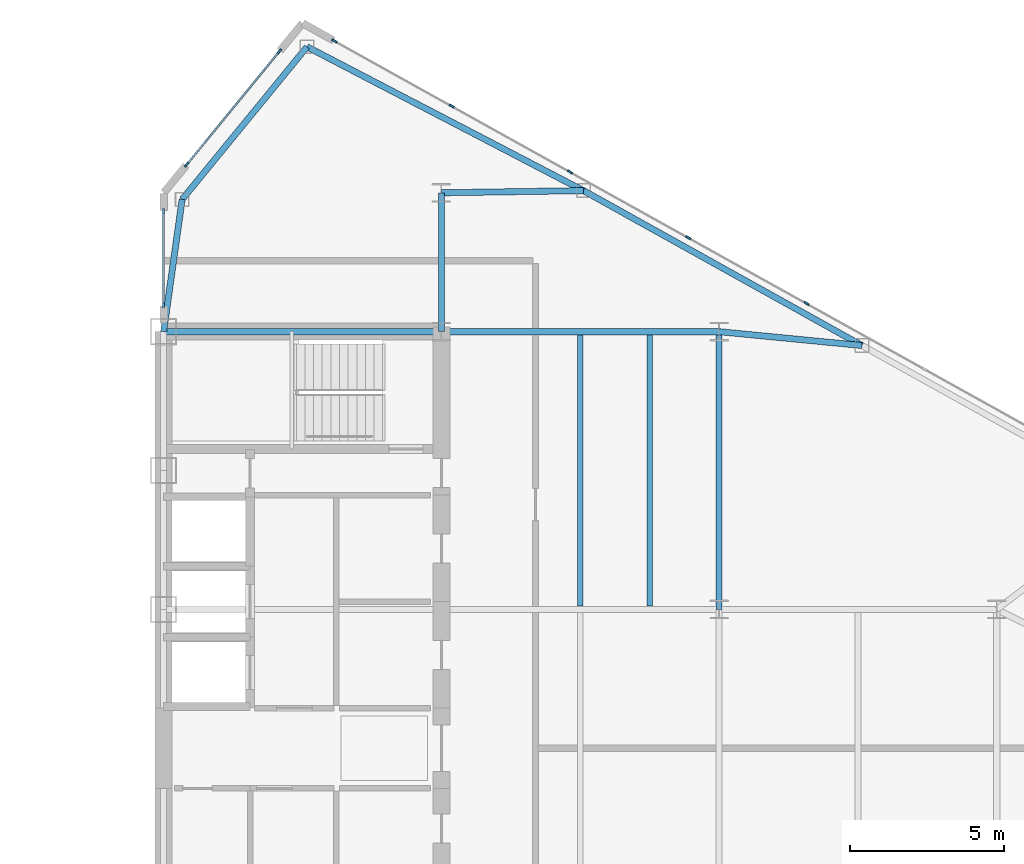
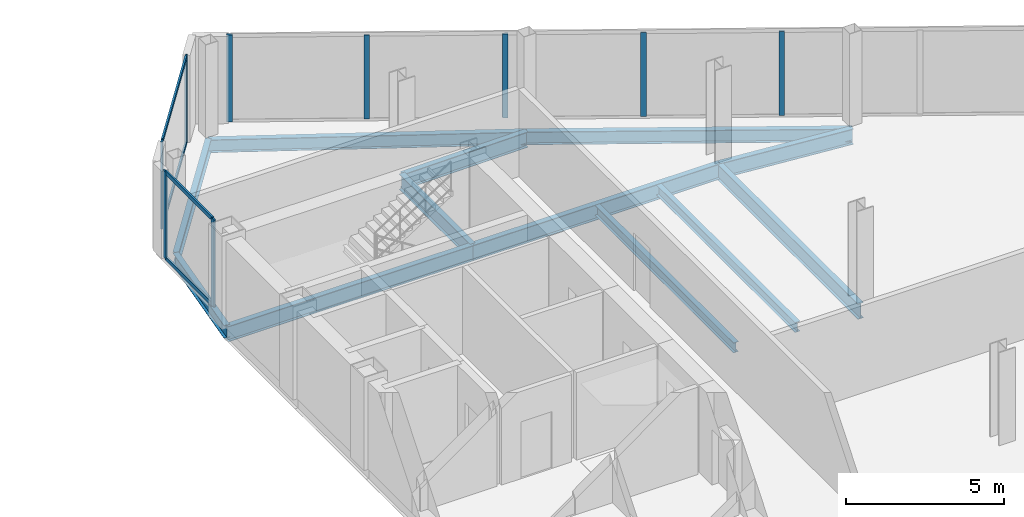
# One storey, part 15 of 26: 13 members, 12 beams, 3 elements without a shape of their own.
"""IFC4 building model written with IfcOpenShell, lengths in metres."""

from ifc_helpers import new_model, si_unit, direction, frame, origin, origin_2d, place, context, subcontext, project, spatial, rectangle, i_section, extrude, source, transform, mapped, material, layer, layer_set, material_profile, profile_set, type_object, type_shapes, element, aggregate, save


model = new_model("IFC4")

# Units and contexts
model_context = context("Model", 3, precision=1e-05, world=origin(), true_north=direction((0.0, 1.0)))
body_context = subcontext(model_context, "Body", "Model", "MODEL_VIEW")
ifc_project = project(units=[si_unit("LENGTHUNIT", "METRE"), si_unit("AREAUNIT", "SQUARE_METRE"), si_unit("VOLUMEUNIT", "CUBIC_METRE"), si_unit("PLANEANGLEUNIT", "RADIAN"), si_unit("MASSUNIT", "GRAM", prefix="KILO")], contexts=[model_context])

# Site, building, storey
site_placement = place(None, origin())
site = spatial("IfcSite", under=ifc_project, at=site_placement, CompositionType="ELEMENT")
building_placement = place(site_placement, origin())
building = spatial("IfcBuilding", under=site, at=building_placement, Name="Seokmaru Belvedere", CompositionType="ELEMENT")
storey_placement = place(building_placement, frame((0.0, 0.0, 181.5)))
storey = spatial("IfcBuildingStorey", under=building, at=storey_placement, Name="L48", CompositionType="ELEMENT", Elevation=181.5)

# Beams
ifc_material_1 = material(Name="Steel SM355 (355 MPa)", Category="steel")
ifc_material_profile_1 = material_profile(ifc_material_1, i_section(OverallWidth=0.199951171875, OverallDepth=0.60009765625, WebThickness=0.010986328125, FlangeThickness=0.01708984375, at=origin_2d()), Name="H-600x200x11x17")
ifc_profile_set_1 = profile_set([ifc_material_profile_1], Name="Steel SM355 (355 MPa)")
beam_type_1 = type_object("IfcBeamType", Name="Primary Floor Girder H-600", PredefinedType="BEAM", material=ifc_profile_set_1)
shared_shape_1 = source(origin(), body_context, "Body", "SweptSolid", [
    extrude(i_section(OverallWidth=0.199951171875, OverallDepth=0.60009765625, WebThickness=0.010986328125, FlangeThickness=0.01708984375, at=origin_2d()), origin(), (0.0, 0.0, 1.0), 9.0),
])
for number, where, z_axis, x_axis, name in (
    (1, (45.5, 4.5, -0.52001953125), (0.0, 1.0, 0.0), (-1.0, 0.0, 0.0), "L48 E Interior Grid Girder 3"),
    (2, (27.5, 13.5, -0.52001953125), (1.0, 0.0, 0.0), (0.0, 1.0, 0.0), "L48 E Core Tie Girder 4"),
    (3, (36.5, 13.5, -0.52001953125), (1.0, 0.0, 0.0), (0.0, 1.0, 0.0), "L48 E Wing Primary Girder 4"),
):
    element("IfcBeam", number, at=place(storey_placement, frame(where, z_axis=z_axis, x_axis=x_axis)), inside=storey, type_object=beam_type_1, Name=name, PredefinedType="BEAM", context=body_context, shape_type="MappedRepresentation", body=[
        mapped(shared_shape_1, transform((0.0, 0.0, 0.0), scale=1.0)),
    ])
ifc_material_profile_2 = material_profile(ifc_material_1, i_section(OverallWidth=0.18505859375, OverallDepth=0.389892578125, WebThickness=0.008056640625, FlangeThickness=0.011962890625, at=origin_2d()), Name="H-390x185x8x12")
ifc_profile_set_2 = profile_set([ifc_material_profile_2], Name="Steel SM355 (355 MPa)")
beam_type_2 = type_object("IfcBeamType", Name="Secondary Floor Joist H-350", PredefinedType="JOIST", material=ifc_profile_set_2)
shared_shape_2 = source(origin(), body_context, "Body", "SweptSolid", [
    extrude(i_section(OverallWidth=0.18505859375, OverallDepth=0.389892578125, WebThickness=0.008056640625, FlangeThickness=0.011962890625, at=origin_2d()), origin(), (0.0, 0.0, 1.0), 8.7900390625),
])
type_shapes(beam_type_2, [shared_shape_2])
for number, where, z_axis, x_axis, name in (
    (4, (43.25, 4.60498046875, -0.4150390625), (0.0, 1.0, 0.0), (-1.0, 0.0, 0.0), "L48 E Wing Inner Secondary Joist 2"),
    (5, (41.0, 4.60498046875, -0.4150390625), (0.0, 1.0, 0.0), (-1.0, 0.0, 0.0), "L48 E Secondary Floor Joist 3"),
):
    element("IfcBeam", number, at=place(storey_placement, frame(where, z_axis=z_axis, x_axis=x_axis)), inside=storey, type_object=beam_type_2, Name=name, PredefinedType="JOIST", context=body_context, shape_type="MappedRepresentation", body=[
        mapped(shared_shape_2, transform((0.0, 0.0, 0.0), scale=1.0)),
    ])
shared_shape_3 = source(origin(), body_context, "Body", "SweptSolid", [
    extrude(i_section(OverallWidth=0.199951171875, OverallDepth=0.60009765625, WebThickness=0.010986328125, FlangeThickness=0.01708984375, at=origin_2d()), origin(), (0.0, 0.0, 1.0), 4.5),
])
beam_1_placement = place(storey_placement, frame((36.5, 13.5, -0.52001953125), z_axis=(0.0, 1.0, 0.0), x_axis=(-1.0, 0.0, 0.0)))
element("IfcBeam", 6, at=beam_1_placement, inside=storey, type_object=beam_type_1, Name="L48 E Core Shoulder Girder N", PredefinedType="BEAM", context=body_context, shape_type="MappedRepresentation", body=[
    mapped(shared_shape_3, transform((0.0, 0.0, 0.0), scale=1.0)),
])
ifc_material_profile_3 = material_profile(ifc_material_1, i_section(OverallWidth=0.199951171875, OverallDepth=0.5, WebThickness=0.010009765625, FlangeThickness=0.01611328125, at=origin_2d()), Name="H-500x200x10x16")
ifc_profile_set_3 = profile_set([ifc_material_profile_3], Name="Steel SM355 (355 MPa)")
beam_type_3 = type_object("IfcBeamType", Name="Perimeter Spandrel Beam H-500", PredefinedType="SPANDREL", material=ifc_profile_set_3)
shared_shape_4 = source(origin(), body_context, "Body", "SweptSolid", [
    extrude(i_section(OverallWidth=0.199951171875, OverallDepth=0.5, WebThickness=0.010009765625, FlangeThickness=0.01611328125, at=origin_2d()), origin(), (0.0, 0.0, 1.0), 10.09716796875),
])
beam_2_placement = place(storey_placement, frame((32.146728515625, 22.731689453125, -0.469970703125), z_axis=(0.887085728914, -0.461604711369, 0.0), x_axis=(0.461604711369, 0.887085728914, 0.0)))
element("IfcBeam", 7, at=beam_2_placement, inside=storey, type_object=beam_type_3, Name="L48 E Faceted Flank Spandrel N-1", PredefinedType="SPANDREL", context=body_context, shape_type="MappedRepresentation", body=[
    mapped(shared_shape_4, transform((0.0, 0.0, 0.0), scale=1.0)),
])
shared_shape_5 = source(origin(), body_context, "Body", "SweptSolid", [
    extrude(i_section(OverallWidth=0.199951171875, OverallDepth=0.5, WebThickness=0.010009765625, FlangeThickness=0.01611328125, at=origin_2d()), origin(), (0.0, 0.0, 1.0), 10.327392578125),
])
beam_3_placement = place(storey_placement, frame((41.103759765625, 18.07080078125, -0.469970703125), z_axis=(0.873924120588, -0.486062374037, 0.0), x_axis=(0.486062374037, 0.873924120588, 0.0)))
element("IfcBeam", 8, at=beam_3_placement, inside=storey, type_object=beam_type_3, Name="L48 E Faceted Flank Spandrel N-2", PredefinedType="SPANDREL", context=body_context, shape_type="MappedRepresentation", body=[
    mapped(shared_shape_5, transform((0.0, 0.0, 0.0), scale=1.0)),
])
shared_shape_6 = source(origin(), body_context, "Body", "SweptSolid", [
    extrude(i_section(OverallWidth=0.199951171875, OverallDepth=0.5, WebThickness=0.010009765625, FlangeThickness=0.01611328125, at=origin_2d()), origin(), (0.0, 0.0, 1.0), 6.390380859375),
])
beam_4_placement = place(storey_placement, frame((32.146728515625, 22.731689453125, -0.469970703125), z_axis=(-0.63324403161, -0.7739521926, 0.0), x_axis=(0.7739521926, -0.63324403161, 0.0)))
element("IfcBeam", 9, at=beam_4_placement, inside=storey, type_object=beam_type_3, Name="L48 E Shoulder Chamfer Spandrel N", PredefinedType="SPANDREL", context=body_context, shape_type="MappedRepresentation", body=[
    mapped(shared_shape_6, transform((0.0, 0.0, 0.0), scale=1.0)),
])
shared_shape_7 = source(origin(), body_context, "Body", "SweptSolid", [
    extrude(i_section(OverallWidth=0.199951171875, OverallDepth=0.5, WebThickness=0.010009765625, FlangeThickness=0.01611328125, at=origin_2d()), origin(), (0.0, 0.0, 1.0), 4.32763671875),
])
type_shapes(beam_type_3, [shared_shape_4, shared_shape_5, shared_shape_6, shared_shape_7])
beam_5_placement = place(storey_placement, frame((28.10009765625, 17.785888671875, -0.469970703125), z_axis=(-0.138664443237, -0.990339422714, 0.0), x_axis=(0.990339422714, -0.138664443237, 0.0)))
element("IfcBeam", 10, at=beam_5_placement, inside=storey, type_object=beam_type_3, Name="L48 E Shoulder Spine Spandrel N", PredefinedType="SPANDREL", context=body_context, shape_type="MappedRepresentation", body=[
    mapped(shared_shape_7, transform((0.0, 0.0, 0.0), scale=1.0)),
])
shared_shape_8 = source(origin(), body_context, "Body", "SweptSolid", [
    extrude(i_section(OverallWidth=0.199951171875, OverallDepth=0.60009765625, WebThickness=0.010986328125, FlangeThickness=0.01708984375, at=origin_2d()), origin(), (0.0, 0.0, 1.0), 4.604248046875),
])
beam_6_placement = place(storey_placement, frame((41.103759765625, 18.07080078125, -0.52001953125), z_axis=(-0.999881765622, -0.01537708607, 0.0), x_axis=(0.01537708607, -0.999881765622, 0.0)))
element("IfcBeam", 11, at=beam_6_placement, inside=storey, type_object=beam_type_1, Name="L48 E Flank Radial Floor Girder N-1", PredefinedType="BEAM", context=body_context, shape_type="MappedRepresentation", body=[
    mapped(shared_shape_8, transform((0.0, 0.0, 0.0), scale=1.0)),
])
shared_shape_9 = source(origin(), body_context, "Body", "SweptSolid", [
    extrude(i_section(OverallWidth=0.199951171875, OverallDepth=0.60009765625, WebThickness=0.010986328125, FlangeThickness=0.01708984375, at=origin_2d()), origin(), (0.0, 0.0, 1.0), 4.65087890625),
])
type_shapes(beam_type_1, [shared_shape_1, shared_shape_3, shared_shape_8, shared_shape_9])
beam_7_placement = place(storey_placement, frame((50.129150390625, 13.051025390625, -0.52001953125), z_axis=(-0.995329534874, 0.09653557379, 0.0), x_axis=(-0.09653557379, -0.995329534874, 0.0)))
element("IfcBeam", 12, at=beam_7_placement, inside=storey, type_object=beam_type_1, Name="L48 E Flank Radial Floor Girder N-2", PredefinedType="BEAM", context=body_context, shape_type="MappedRepresentation", body=[
    mapped(shared_shape_9, transform((0.0, 0.0, 0.0), scale=1.0)),
])

# Curtain wall, members
ifc_material_2 = material(Name="Bronze Triple Insulating Glass", Category="glass")
ifc_layer = layer(ifc_material_2, 0.179931640625)
ifc_layer_set = layer_set([ifc_layer], Name="Bronze Triple Insulating Glass")
curtain_wall_type = type_object("IfcCurtainWallType", Name="High-Rise Wind-Corner Curtain Wall System CW-5", PredefinedType="NOTDEFINED", material=ifc_layer_set)
curtain_wall_1_placement = place(storey_placement, origin())
curtain_wall_1 = element("IfcCurtainWall", 13, at=curtain_wall_1_placement, inside=storey, type_object=curtain_wall_type, Name="L48 Curtain Wall ESP_2", PredefinedType="NOTDEFINED")
ifc_material_3 = material(Name="Anodised Bronze Aluminium", Category="aluminium")
ifc_material_profile_4 = material_profile(ifc_material_3, rectangle(XDim=0.06494140625, YDim=0.14990234375, at=origin_2d()), Name="CW-T-65x150")
ifc_profile_set_4 = profile_set([ifc_material_profile_4], Name="Anodised Bronze Aluminium")
member_type_1 = type_object("IfcMemberType", Name="Bronze Unitised Transom 65x150", PredefinedType="USERDEFINED", material=ifc_profile_set_4)
shared_shape_10 = source(origin(), body_context, "Body", "SweptSolid", [
    extrude(rectangle(XDim=0.06494140625, YDim=0.14990234375, at=origin_2d()), origin(), (0.0, 0.0, 1.0), 2.969970703125),
])
member_1_placement = place(storey_placement, frame((27.5, 17.364990234375, 0.032470703125), z_axis=(0.0, -1.0, 0.0), x_axis=(1.0, 0.0, 0.0)))
member_1 = element("IfcMember", 14, at=member_1_placement, type_object=member_type_1, Name="CW:L48:ESP_2 Continuous Transom 1", ObjectType="TRANSOM", PredefinedType="USERDEFINED", context=body_context, shape_type="MappedRepresentation", body=[
    mapped(shared_shape_10, transform((0.0, 0.0, 0.0), scale=1.0)),
])
member_2_placement = place(storey_placement, frame((27.5, 17.364990234375, 3.347412109375), z_axis=(0.0, -1.0, 0.0), x_axis=(1.0, 0.0, 0.0)))
member_2 = element("IfcMember", 15, at=member_2_placement, type_object=member_type_1, Name="CW:L48:ESP_2 Continuous Transom 2", ObjectType="TRANSOM", PredefinedType="USERDEFINED", context=body_context, shape_type="MappedRepresentation", body=[
    mapped(shared_shape_10, transform((0.0, 0.0, 0.0), scale=1.0)),
])

curtain_wall_2_placement = place(storey_placement, origin())
curtain_wall_2 = element("IfcCurtainWall", 16, at=curtain_wall_2_placement, inside=storey, type_object=curtain_wall_type, Name="L48 Curtain Wall EF4", PredefinedType="NOTDEFINED")
shared_shape_11 = source(origin(), body_context, "Body", "SweptSolid", [
    extrude(rectangle(XDim=0.06494140625, YDim=0.14990234375, at=origin_2d()), origin(), (0.0, 0.0, 1.0), 4.67626953125),
])
type_shapes(member_type_1, [shared_shape_10, shared_shape_11])
member_3_placement = place(storey_placement, frame((31.230712890625, 22.5595703125, 0.032470703125), z_axis=(-0.633277591216, -0.773924733074, 0.0), x_axis=(0.773924733074, -0.633277591216, 0.0)))
member_3 = element("IfcMember", 17, at=member_3_placement, type_object=member_type_1, Name="CW:L48:EF4 Continuous Transom 1", ObjectType="TRANSOM", PredefinedType="USERDEFINED", context=body_context, shape_type="MappedRepresentation", body=[
    mapped(shared_shape_11, transform((0.0, 0.0, 0.0), scale=1.0)),
])
member_4_placement = place(storey_placement, frame((31.230712890625, 22.5595703125, 3.347412109375), z_axis=(-0.633277591216, -0.773924733074, 0.0), x_axis=(0.773924733074, -0.633277591216, 0.0)))
member_4 = element("IfcMember", 18, at=member_4_placement, type_object=member_type_1, Name="CW:L48:EF4 Continuous Transom 2", ObjectType="TRANSOM", PredefinedType="USERDEFINED", context=body_context, shape_type="MappedRepresentation", body=[
    mapped(shared_shape_11, transform((0.0, 0.0, 0.0), scale=1.0)),
])

# Curtain wall, member
curtain_wall_3_placement = place(storey_placement, origin())
curtain_wall_3 = element("IfcCurtainWall", 19, at=curtain_wall_3_placement, inside=storey, type_object=curtain_wall_type, Name="L48 Curtain Wall EF3", PredefinedType="NOTDEFINED")
ifc_material_profile_5 = material_profile(ifc_material_3, rectangle(XDim=0.06494140625, YDim=0.179931640625, at=origin_2d()), Name="CW-M-65x180")
ifc_profile_set_5 = profile_set([ifc_material_profile_5], Name="Anodised Bronze Aluminium")
member_type_2 = type_object("IfcMemberType", Name="Bronze Unitised Mullion 65x180", PredefinedType="MULLION", material=ifc_profile_set_5)
shared_shape_12 = source(origin(), body_context, "Body", "SweptSolid", [
    extrude(rectangle(XDim=0.06494140625, YDim=0.179931640625, at=origin_2d()), origin(), (0.0, 0.0, 1.0), 3.3798828125),
])
member_5_placement = place(storey_placement, frame((33.033447265625, 22.92529296875, 0.0), z_axis=(0.0, 0.0, 1.0), x_axis=(-0.486047125147, -0.873932601598, 0.0)))
member_5 = element("IfcMember", 20, at=member_5_placement, type_object=member_type_2, Name="CW:L48:EF3 Mullion 10", PredefinedType="MULLION", context=body_context, shape_type="MappedRepresentation", body=[
    mapped(shared_shape_12, transform((0.0, 0.0, 0.0), scale=1.0)),
])

# Member
member_6_placement = place(storey_placement, frame((31.251220703125, 22.584716796875, 0.0), z_axis=(0.0, 0.0, 1.0), x_axis=(0.773944112379, -0.633253907144, 0.0)))
member_6 = element("IfcMember", 21, at=member_6_placement, type_object=member_type_2, Name="CW:L48:EF4 Mullion 1", PredefinedType="MULLION", context=body_context, shape_type="MappedRepresentation", body=[
    mapped(shared_shape_12, transform((0.0, 0.0, 0.0), scale=1.0)),
])

member_7_placement = place(storey_placement, frame((28.248779296875, 18.915283203125, 0.0), z_axis=(0.0, 0.0, 1.0), x_axis=(0.773944112379, -0.633253907144, 0.0)))
member_7 = element("IfcMember", 22, at=member_7_placement, type_object=member_type_2, Name="CW:L48:EF4 Mullion 2", PredefinedType="MULLION", context=body_context, shape_type="MappedRepresentation", body=[
    mapped(shared_shape_12, transform((0.0, 0.0, 0.0), scale=1.0)),
])

aggregate(curtain_wall_2, [member_6, member_7, member_3, member_4])

member_8_placement = place(storey_placement, frame((27.5, 17.3974609375, 0.0), z_axis=(0.0, 0.0, 1.0), x_axis=(1.0, 0.0, 0.0)))
member_8 = element("IfcMember", 23, at=member_8_placement, type_object=member_type_2, Name="CW:L48:ESP_2 Mullion 1", PredefinedType="MULLION", context=body_context, shape_type="MappedRepresentation", body=[
    mapped(shared_shape_12, transform((0.0, 0.0, 0.0), scale=1.0)),
])

member_9_placement = place(storey_placement, frame((27.5, 14.362548828125, 0.0), z_axis=(0.0, 0.0, 1.0), x_axis=(1.0, 0.0, 0.0)))
member_9 = element("IfcMember", 24, at=member_9_placement, type_object=member_type_2, Name="CW:L48:ESP_2 Mullion 2", PredefinedType="MULLION", context=body_context, shape_type="MappedRepresentation", body=[
    mapped(shared_shape_12, transform((0.0, 0.0, 0.0), scale=1.0)),
])

aggregate(curtain_wall_1, [member_8, member_9, member_1, member_2])

shared_shape_13 = source(origin(), body_context, "Body", "SweptSolid", [
    extrude(rectangle(XDim=0.06494140625, YDim=0.179931640625, at=origin_2d()), origin(), (0.0, 0.0, 1.0), 3.25),
])
type_shapes(member_type_2, [shared_shape_12, shared_shape_13])
member_10_placement = place(storey_placement, frame((48.333984375, 14.415771484375, 0.06494140625), z_axis=(0.0, 0.0, 1.0), x_axis=(-0.486047125147, -0.873932601598, 0.0)))
member_10 = element("IfcMember", 25, at=member_10_placement, type_object=member_type_2, Name="CW:L48:EF3 Mullion 6", PredefinedType="MULLION", context=body_context, shape_type="MappedRepresentation", body=[
    mapped(shared_shape_13, transform((0.0, 0.0, 0.0), scale=1.0)),
])

member_11_placement = place(storey_placement, frame((44.501708984375, 16.547119140625, 0.06494140625), z_axis=(0.0, 0.0, 1.0), x_axis=(-0.486047125147, -0.873932601598, 0.0)))
member_11 = element("IfcMember", 26, at=member_11_placement, type_object=member_type_2, Name="CW:L48:EF3 Mullion 7", PredefinedType="MULLION", context=body_context, shape_type="MappedRepresentation", body=[
    mapped(shared_shape_13, transform((0.0, 0.0, 0.0), scale=1.0)),
])

member_12_placement = place(storey_placement, frame((40.66943359375, 18.67822265625, 0.06494140625), z_axis=(0.0, 0.0, 1.0), x_axis=(-0.486047125147, -0.873932601598, 0.0)))
member_12 = element("IfcMember", 27, at=member_12_placement, type_object=member_type_2, Name="CW:L48:EF3 Mullion 8", PredefinedType="MULLION", context=body_context, shape_type="MappedRepresentation", body=[
    mapped(shared_shape_13, transform((0.0, 0.0, 0.0), scale=1.0)),
])

member_13_placement = place(storey_placement, frame((36.837158203125, 20.809814453125, 0.06494140625), z_axis=(0.0, 0.0, 1.0), x_axis=(-0.486047125147, -0.873932601598, 0.0)))
member_13 = element("IfcMember", 28, at=member_13_placement, type_object=member_type_2, Name="CW:L48:EF3 Mullion 9", PredefinedType="MULLION", context=body_context, shape_type="MappedRepresentation", body=[
    mapped(shared_shape_13, transform((0.0, 0.0, 0.0), scale=1.0)),
])

aggregate(curtain_wall_3, [member_10, member_11, member_12, member_13, member_5])

save(model, "model.ifc")
